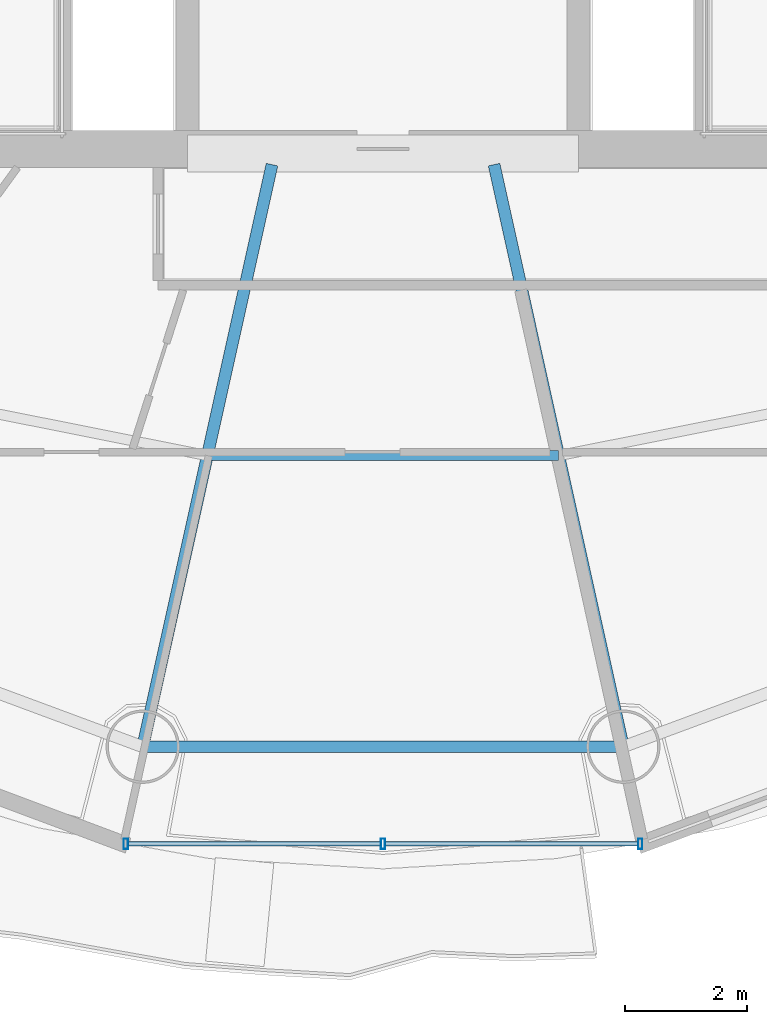
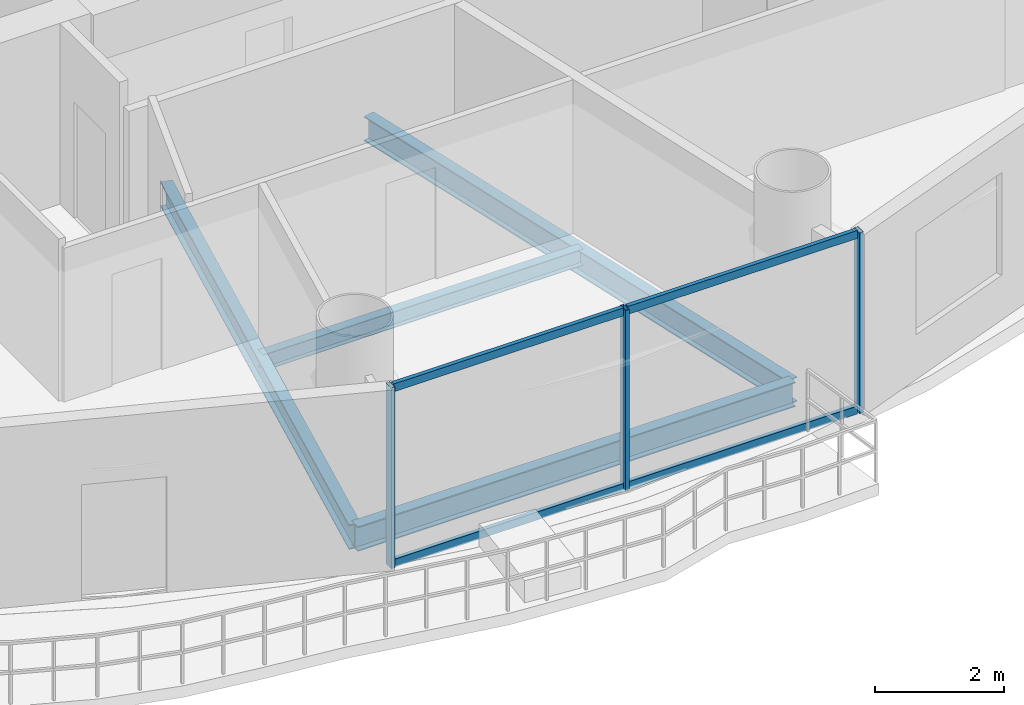
# One storey, part 5 of 27: 7 members, 4 beams, 1 element without a shape of its own.
"""IFC4 building model written with IfcOpenShell, lengths in metres."""

from ifc_helpers import new_model, si_unit, direction, frame, origin, origin_2d, place, context, subcontext, project, spatial, hollow_rectangle, i_section, extrude, source, transform, mapped, material, material_profile, profile_set, type_object, element, aggregate, save


model = new_model("IFC4")

# Units and contexts
model_context = context("Model", 3, precision=1e-05, world=origin(), true_north=direction((-0.2419218956, 0.970295726276)))
body_context = subcontext(model_context, "Body", "Model", "MODEL_VIEW")
ifc_project = project(units=[si_unit("LENGTHUNIT", "METRE"), si_unit("AREAUNIT", "SQUARE_METRE"), si_unit("VOLUMEUNIT", "CUBIC_METRE"), si_unit("PLANEANGLEUNIT", "RADIAN"), si_unit("MASSUNIT", "GRAM", prefix="KILO")], contexts=[model_context])

# Site, building, storey
site_placement = place(None, origin())
site = spatial("IfcSite", under=ifc_project, at=site_placement, CompositionType="ELEMENT")
building_placement = place(site_placement, origin())
building = spatial("IfcBuilding", under=site, at=building_placement, Name="Cobrevalo Terracotta Tower", CompositionType="ELEMENT")
storey_placement = place(building_placement, frame((0.0, 0.0, 191.199951171875)))
storey = spatial("IfcBuildingStorey", under=building, at=storey_placement, Name="L50", CompositionType="ELEMENT", Elevation=191.199951171875)

# Beams
ifc_material_1 = material(Name="Steel S355", Category="steel")
ifc_material_profile_1 = material_profile(ifc_material_1, i_section(OverallWidth=0.194091796875, OverallDepth=0.468994140625, WebThickness=0.011474609375, FlangeThickness=0.0205078125, at=origin_2d()), Name="W 460x106")
ifc_profile_set_1 = profile_set([ifc_material_profile_1], Name="Steel S355")
beam_type_1 = type_object("IfcBeamType", Name="Structural Beam W 460x106 (Steel S355)", PredefinedType="BEAM", material=ifc_profile_set_1)
for number, where, z_axis, x_axis, name in (
    (1, (34.06884765625, 9.096923828125, -0.49951171875), (0.216782061165, 0.976220025382, 0.0), (-0.976220025382, 0.216782061165, 0.0), "L50 radial floor girder 12"),
    (2, (41.93115234375, 9.096923828125, -0.49951171875), (-0.216782061165, 0.976220025382, 0.0), (-0.976220025382, -0.216782061165, 0.0), "L50 radial floor girder 13"),
):
    element("IfcBeam", number, at=place(storey_placement, frame(where, z_axis=z_axis, x_axis=x_axis)), inside=storey, type_object=beam_type_1, Name=name, PredefinedType="BEAM", context=body_context, shape_type="SweptSolid", body=[
        extrude(i_section(OverallWidth=0.194091796875, OverallDepth=0.468994140625, WebThickness=0.011474609375, FlangeThickness=0.0205078125, at=origin_2d()), origin(), (0.0, 0.0, 1.0), 9.755126953125),
    ])
ifc_material_profile_2 = material_profile(ifc_material_1, i_section(OverallWidth=0.1650390625, OverallDepth=0.31005859375, WebThickness=0.005859375, FlangeThickness=0.009765625, at=origin_2d()), Name="W 310x38.7")
ifc_profile_set_2 = profile_set([ifc_material_profile_2], Name="Steel S355")
beam_type_2 = type_object("IfcBeamType", Name="Structural Joist W 310x38.7 (Steel S355)", PredefinedType="JOIST", material=ifc_profile_set_2)
beam_1_placement = place(storey_placement, frame((35.126220703125, 13.8583984375, -0.419921875), z_axis=(1.0, 0.0, 0.0), x_axis=(0.0, 1.0, 0.0)))
element("IfcBeam", 3, at=beam_1_placement, inside=storey, type_object=beam_type_2, Name="L50 circumferential secondary floor joist 12", PredefinedType="JOIST", context=body_context, shape_type="SweptSolid", body=[
    extrude(i_section(OverallWidth=0.1650390625, OverallDepth=0.31005859375, WebThickness=0.005859375, FlangeThickness=0.009765625, at=origin_2d()), origin(), (0.0, 0.0, 1.0), 5.74755859375),
])
ifc_material_profile_3 = material_profile(ifc_material_1, i_section(OverallWidth=0.194091796875, OverallDepth=0.468994140625, WebThickness=0.011474609375, FlangeThickness=0.0205078125, at=origin_2d()), Name="W 460x106")
ifc_profile_set_3 = profile_set([ifc_material_profile_3], Name="Steel S355")
beam_type_3 = type_object("IfcBeamType", Name="Structural Spandrel W 460x106 (Steel S355)", PredefinedType="SPANDREL", material=ifc_profile_set_3)
beam_2_placement = place(storey_placement, frame((34.06884765625, 9.096923828125, -0.49951171875), z_axis=(1.0, 0.0, 0.0), x_axis=(0.0, 1.0, 0.0)))
element("IfcBeam", 4, at=beam_2_placement, inside=storey, type_object=beam_type_3, Name="L50 perimeter ring spandrel 12", PredefinedType="SPANDREL", context=body_context, shape_type="SweptSolid", body=[
    extrude(i_section(OverallWidth=0.194091796875, OverallDepth=0.468994140625, WebThickness=0.011474609375, FlangeThickness=0.0205078125, at=origin_2d()), origin(), (0.0, 0.0, 1.0), 7.8623046875),
])

# Curtain wall, members
ifc_material_2 = material(Name="Anodized aluminium", Category="aluminium")
curtain_wall_type = type_object("IfcCurtainWallType", Name="Mid-tower high-wind unitised curtain wall CW-U2", PredefinedType="NOTDEFINED", material=ifc_material_2)
curtain_wall_placement = place(storey_placement, origin())
curtain_wall = element("IfcCurtainWall", 5, at=curtain_wall_placement, inside=storey, type_object=curtain_wall_type, Name="L50 curtain wall CW-L50-S12", PredefinedType="NOTDEFINED")
ifc_material_profile_4 = material_profile(ifc_material_2, hollow_rectangle(XDim=0.074951171875, YDim=0.14990234375, WallThickness=0.00439453125, at=origin_2d()), Name="CWT 75x150")
ifc_profile_set_4 = profile_set([ifc_material_profile_4], Name="Anodized aluminium")
member_type_1 = type_object("IfcMemberType", Name="Tower unitised aluminium transom 75x150", PredefinedType="USERDEFINED", material=ifc_profile_set_4)
shared_shape_1 = source(origin(), body_context, "Body", "SweptSolid", [
    extrude(hollow_rectangle(XDim=0.074951171875, YDim=0.14990234375, WallThickness=0.00439453125, at=origin_2d()), origin(), (0.0, 0.0, 1.0), 4.127197265625),
])
member_1_placement = place(storey_placement, frame((33.832763671875, 7.508056640625, 0.050048828125), z_axis=(1.0, 0.0, 0.0), x_axis=(0.0, 1.0, 0.0)))
member_1 = element("IfcMember", 6, at=member_1_placement, type_object=member_type_1, Name="CW-L50-S12 transom B01-T1", ObjectType="TRANSOM", PredefinedType="USERDEFINED", context=body_context, shape_type="MappedRepresentation", body=[
    mapped(shared_shape_1, transform((0.0, 0.0, 0.0), scale=1.0)),
])
member_2_placement = place(storey_placement, frame((33.832763671875, 7.508056640625, 3.385009765625), z_axis=(1.0, 0.0, 0.0), x_axis=(0.0, 1.0, 0.0)))
member_2 = element("IfcMember", 7, at=member_2_placement, type_object=member_type_1, Name="CW-L50-S12 transom B01-T2", ObjectType="TRANSOM", PredefinedType="USERDEFINED", context=body_context, shape_type="MappedRepresentation", body=[
    mapped(shared_shape_1, transform((0.0, 0.0, 0.0), scale=1.0)),
])
member_3_placement = place(storey_placement, frame((38.0400390625, 7.508056640625, 0.050048828125), z_axis=(1.0, 0.0, 0.0), x_axis=(0.0, 1.0, 0.0)))
member_3 = element("IfcMember", 8, at=member_3_placement, type_object=member_type_1, Name="CW-L50-S12 transom B02-T1", ObjectType="TRANSOM", PredefinedType="USERDEFINED", context=body_context, shape_type="MappedRepresentation", body=[
    mapped(shared_shape_1, transform((0.0, 0.0, 0.0), scale=1.0)),
])
member_4_placement = place(storey_placement, frame((38.0400390625, 7.508056640625, 3.385009765625), z_axis=(1.0, 0.0, 0.0), x_axis=(0.0, 1.0, 0.0)))
member_4 = element("IfcMember", 9, at=member_4_placement, type_object=member_type_1, Name="CW-L50-S12 transom B02-T2", ObjectType="TRANSOM", PredefinedType="USERDEFINED", context=body_context, shape_type="MappedRepresentation", body=[
    mapped(shared_shape_1, transform((0.0, 0.0, 0.0), scale=1.0)),
])
ifc_material_profile_5 = material_profile(ifc_material_2, hollow_rectangle(XDim=0.070068359375, YDim=0.169921875, WallThickness=0.00439453125, at=origin_2d()), Name="CWM 70x170")
ifc_profile_set_5 = profile_set([ifc_material_profile_5], Name="Anodized aluminium")
member_type_2 = type_object("IfcMemberType", Name="Upper tower unitised mullion 70x170", PredefinedType="MULLION", material=ifc_profile_set_5)
shared_shape_2 = source(origin(), body_context, "Body", "SweptSolid", [
    extrude(hollow_rectangle(XDim=0.070068359375, YDim=0.169921875, WallThickness=0.00439453125, at=origin_2d()), origin(), (0.0, 0.0, 1.0), 3.43505859375),
])
member_5_placement = place(storey_placement, frame((33.79296875, 7.508056640625, 0.0), z_axis=(0.0, 0.0, 1.0), x_axis=(1.0, 0.0, 0.0)))
member_5 = element("IfcMember", 10, at=member_5_placement, type_object=member_type_2, Name="CW-L50-S12 vertical mullion 01", PredefinedType="MULLION", context=body_context, shape_type="MappedRepresentation", body=[
    mapped(shared_shape_2, transform((0.0, 0.0, 0.0), scale=1.0)),
])
member_6_placement = place(storey_placement, frame((38.0, 7.508056640625, 0.0), z_axis=(0.0, 0.0, 1.0), x_axis=(1.0, 0.0, 0.0)))
member_6 = element("IfcMember", 11, at=member_6_placement, type_object=member_type_2, Name="CW-L50-S12 vertical mullion 02", PredefinedType="MULLION", context=body_context, shape_type="MappedRepresentation", body=[
    mapped(shared_shape_2, transform((0.0, 0.0, 0.0), scale=1.0)),
])
member_7_placement = place(storey_placement, frame((42.20703125, 7.508056640625, 0.0), z_axis=(0.0, 0.0, 1.0), x_axis=(1.0, 0.0, 0.0)))
member_7 = element("IfcMember", 12, at=member_7_placement, type_object=member_type_2, Name="CW-L50-S12 vertical mullion 03", PredefinedType="MULLION", context=body_context, shape_type="MappedRepresentation", body=[
    mapped(shared_shape_2, transform((0.0, 0.0, 0.0), scale=1.0)),
])
aggregate(curtain_wall, [member_5, member_6, member_7, member_1, member_2, member_3, member_4])

save(model, "model.ifc")
